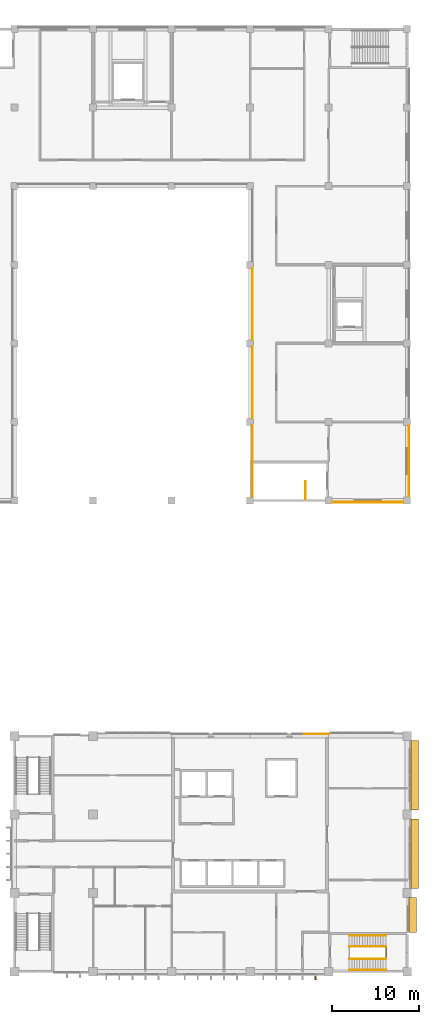
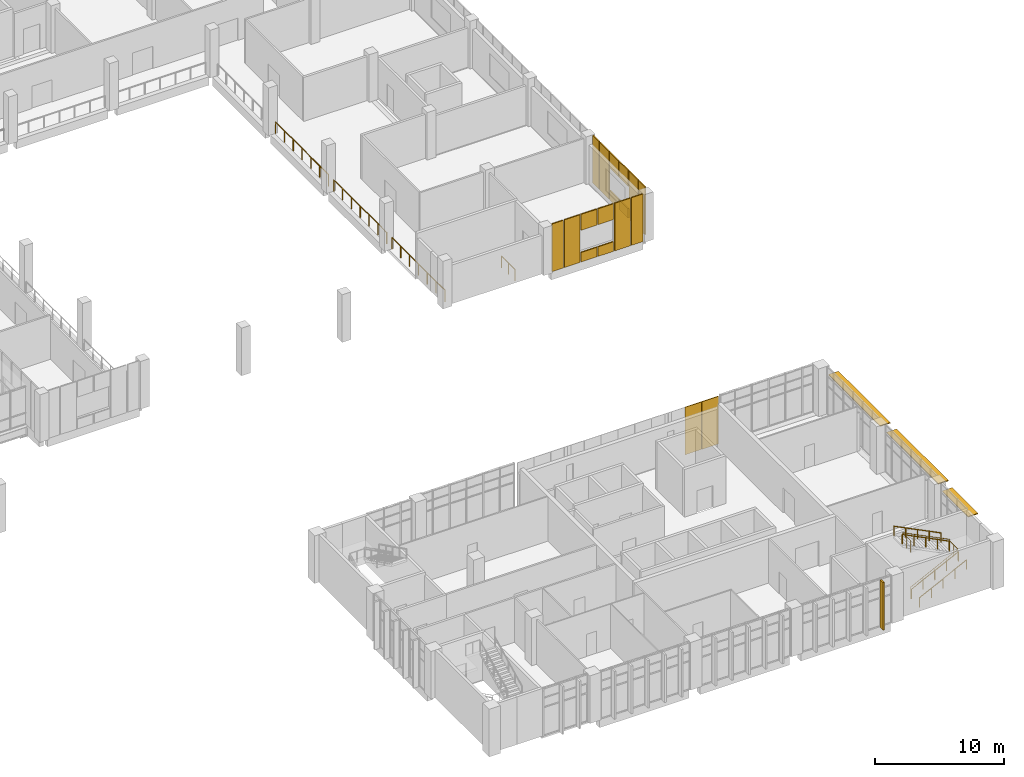
# One storey, part 85 of 88: 18 coverings, 9 railings, 4 shading devices.
"""IFC4 building model written with IfcOpenShell, lengths in metres."""

from ifc_helpers import new_model, si_unit, direction, frame, origin, origin_2d, place, context, subcontext, project, spatial, rectangle, circle, extrude, material, layer, layer_set, type_object, element, save


model = new_model("IFC4")

# Units and contexts
model_context = context("Model", 3, precision=1e-05, world=origin(), true_north=direction((0.0, 1.0)))
body_context = subcontext(model_context, "Body", "Model", "MODEL_VIEW")
ifc_project = project(units=[si_unit("LENGTHUNIT", "METRE"), si_unit("AREAUNIT", "SQUARE_METRE"), si_unit("VOLUMEUNIT", "CUBIC_METRE"), si_unit("PLANEANGLEUNIT", "RADIAN"), si_unit("MASSUNIT", "GRAM", prefix="KILO")], contexts=[model_context])

# Site, building, storey
site_placement = place(None, origin())
site = spatial("IfcSite", under=ifc_project, at=site_placement, CompositionType="ELEMENT")
building_placement = place(site_placement, origin())
building = spatial("IfcBuilding", under=site, at=building_placement, Name="Guidao Yard Department Store", CompositionType="ELEMENT")
storey_placement = place(building_placement, frame((0.0, 0.0, 6.0)))
storey = spatial("IfcBuildingStorey", under=building, at=storey_placement, Name="L01", CompositionType="ELEMENT", Elevation=6.0)

# Coverings
ifc_material_1 = material(Name="Clinker brick", Category="masonry")
ifc_layer_1 = layer(ifc_material_1, 0.10009765625)
ifc_layer_set_1 = layer_set([ifc_layer_1], Name="Clinker brick panel BR1 on rainscreen")
covering_type_1 = type_object("IfcCoveringType", Name="Clinker brick panel BR1 on rainscreen", PredefinedType="CLADDING", material=ifc_layer_set_1)
covering_1_placement = place(storey_placement, frame((162.949951171875, 53.800048828125, 0.0), z_axis=(0.0, 0.0, 1.0), x_axis=(-1.0, 0.0, 0.0)))
element("IfcCovering", 1, at=covering_1_placement, inside=storey, type_object=covering_type_1, Name="Clinker brick panel", PredefinedType="CLADDING", context=body_context, shape_type="SweptSolid", body=[
    extrude(rectangle(XDim=1.0, YDim=0.10009765625, at=origin_2d()), origin(), (0.0, 0.0, 1.0), 4.5),
])
covering_2_placement = place(storey_placement, frame((164.25, 53.800048828125, 0.0), z_axis=(0.0, 0.0, 1.0), x_axis=(-1.0, 0.0, 0.0)))
element("IfcCovering", 2, at=covering_2_placement, inside=storey, type_object=covering_type_1, Name="Clinker brick panel", PredefinedType="CLADDING", context=body_context, shape_type="SweptSolid", body=[
    extrude(rectangle(XDim=1.39990234375, YDim=0.10009765625, at=origin_2d()), origin(), (0.0, 0.0, 1.0), 4.5),
])
covering_3_placement = place(storey_placement, frame((165.75, 53.800048828125, 0.0), z_axis=(0.0, 0.0, 1.0), x_axis=(-1.0, 0.0, 0.0)))
element("IfcCovering", 3, at=covering_3_placement, inside=storey, type_object=covering_type_1, Name="Clinker brick panel", PredefinedType="CLADDING", context=body_context, shape_type="SweptSolid", body=[
    extrude(rectangle(XDim=1.39990234375, YDim=0.10009765625, at=origin_2d()), origin(), (0.0, 0.0, 1.0), 0.89990234375),
])
covering_4_placement = place(storey_placement, frame((165.75, 53.800048828125, 3.0), z_axis=(0.0, 0.0, 1.0), x_axis=(-1.0, 0.0, 0.0)))
element("IfcCovering", 4, at=covering_4_placement, inside=storey, type_object=covering_type_1, Name="Clinker brick panel", PredefinedType="CLADDING", context=body_context, shape_type="SweptSolid", body=[
    extrude(rectangle(XDim=1.39990234375, YDim=0.10009765625, at=origin_2d()), origin(), (0.0, 0.0, 1.0), 1.5),
])
covering_5_placement = place(storey_placement, frame((167.25, 53.800048828125, 0.0), z_axis=(0.0, 0.0, 1.0), x_axis=(-1.0, 0.0, 0.0)))
element("IfcCovering", 5, at=covering_5_placement, inside=storey, type_object=covering_type_1, Name="Clinker brick panel", PredefinedType="CLADDING", context=body_context, shape_type="SweptSolid", body=[
    extrude(rectangle(XDim=1.39990234375, YDim=0.10009765625, at=origin_2d()), origin(), (0.0, 0.0, 1.0), 0.89990234375),
])
covering_6_placement = place(storey_placement, frame((167.25, 53.800048828125, 3.0), z_axis=(0.0, 0.0, 1.0), x_axis=(-1.0, 0.0, 0.0)))
element("IfcCovering", 6, at=covering_6_placement, inside=storey, type_object=covering_type_1, Name="Clinker brick panel", PredefinedType="CLADDING", context=body_context, shape_type="SweptSolid", body=[
    extrude(rectangle(XDim=1.39990234375, YDim=0.10009765625, at=origin_2d()), origin(), (0.0, 0.0, 1.0), 1.5),
])
covering_7_placement = place(storey_placement, frame((168.75, 53.800048828125, 0.0), z_axis=(0.0, 0.0, 1.0), x_axis=(-1.0, 0.0, 0.0)))
element("IfcCovering", 7, at=covering_7_placement, inside=storey, type_object=covering_type_1, Name="Clinker brick panel", PredefinedType="CLADDING", context=body_context, shape_type="SweptSolid", body=[
    extrude(rectangle(XDim=1.39990234375, YDim=0.10009765625, at=origin_2d()), origin(), (0.0, 0.0, 1.0), 4.5),
])
for number, where, z_axis, x_axis, name in (
    (8, (170.050048828125, 53.800048828125, 0.0), (0.0, 0.0, 1.0), (-1.0, 0.0, 0.0), "Clinker brick panel"),
    (9, (171.199951171875, 54.949951171875, 0.0), (0.0, 0.0, 1.0), (0.0, -1.0, 0.0), "Clinker brick panel"),
):
    element("IfcCovering", number, at=place(storey_placement, frame(where, z_axis=z_axis, x_axis=x_axis)), inside=storey, type_object=covering_type_1, Name=name, PredefinedType="CLADDING", context=body_context, shape_type="SweptSolid", body=[
        extrude(rectangle(XDim=1.0, YDim=0.10009765625, at=origin_2d()), origin(), (0.0, 0.0, 1.0), 4.5),
    ])
covering_8_placement = place(storey_placement, frame((171.199951171875, 56.25, 0.0), z_axis=(0.0, 0.0, 1.0), x_axis=(0.0, -1.0, 0.0)))
element("IfcCovering", 10, at=covering_8_placement, inside=storey, type_object=covering_type_1, Name="Clinker brick panel", PredefinedType="CLADDING", context=body_context, shape_type="SweptSolid", body=[
    extrude(rectangle(XDim=1.39990234375, YDim=0.10009765625, at=origin_2d()), origin(), (0.0, 0.0, 1.0), 4.5),
])
covering_9_placement = place(storey_placement, frame((171.199951171875, 57.75, 0.0), z_axis=(0.0, 0.0, 1.0), x_axis=(0.0, -1.0, 0.0)))
element("IfcCovering", 11, at=covering_9_placement, inside=storey, type_object=covering_type_1, Name="Clinker brick panel", PredefinedType="CLADDING", context=body_context, shape_type="SweptSolid", body=[
    extrude(rectangle(XDim=1.39990234375, YDim=0.10009765625, at=origin_2d()), origin(), (0.0, 0.0, 1.0), 0.89990234375),
])
covering_10_placement = place(storey_placement, frame((171.199951171875, 57.75, 3.0), z_axis=(0.0, 0.0, 1.0), x_axis=(0.0, -1.0, 0.0)))
element("IfcCovering", 12, at=covering_10_placement, inside=storey, type_object=covering_type_1, Name="Clinker brick panel", PredefinedType="CLADDING", context=body_context, shape_type="SweptSolid", body=[
    extrude(rectangle(XDim=1.39990234375, YDim=0.10009765625, at=origin_2d()), origin(), (0.0, 0.0, 1.0), 1.5),
])
covering_11_placement = place(storey_placement, frame((171.199951171875, 59.25, 0.0), z_axis=(0.0, 0.0, 1.0), x_axis=(0.0, -1.0, 0.0)))
element("IfcCovering", 13, at=covering_11_placement, inside=storey, type_object=covering_type_1, Name="Clinker brick panel", PredefinedType="CLADDING", context=body_context, shape_type="SweptSolid", body=[
    extrude(rectangle(XDim=1.39990234375, YDim=0.10009765625, at=origin_2d()), origin(), (0.0, 0.0, 1.0), 0.89990234375),
])
covering_12_placement = place(storey_placement, frame((171.199951171875, 59.25, 3.0), z_axis=(0.0, 0.0, 1.0), x_axis=(0.0, -1.0, 0.0)))
element("IfcCovering", 14, at=covering_12_placement, inside=storey, type_object=covering_type_1, Name="Clinker brick panel", PredefinedType="CLADDING", context=body_context, shape_type="SweptSolid", body=[
    extrude(rectangle(XDim=1.39990234375, YDim=0.10009765625, at=origin_2d()), origin(), (0.0, 0.0, 1.0), 1.5),
])
covering_13_placement = place(storey_placement, frame((171.199951171875, 60.75, 0.0), z_axis=(0.0, 0.0, 1.0), x_axis=(0.0, -1.0, 0.0)))
element("IfcCovering", 15, at=covering_13_placement, inside=storey, type_object=covering_type_1, Name="Clinker brick panel", PredefinedType="CLADDING", context=body_context, shape_type="SweptSolid", body=[
    extrude(rectangle(XDim=1.39990234375, YDim=0.10009765625, at=origin_2d()), origin(), (0.0, 0.0, 1.0), 4.5),
])
covering_14_placement = place(storey_placement, frame((171.199951171875, 62.050048828125, 0.0), z_axis=(0.0, 0.0, 1.0), x_axis=(0.0, -1.0, 0.0)))
element("IfcCovering", 16, at=covering_14_placement, inside=storey, type_object=covering_type_1, Name="Clinker brick panel", PredefinedType="CLADDING", context=body_context, shape_type="SweptSolid", body=[
    extrude(rectangle(XDim=1.0, YDim=0.10009765625, at=origin_2d()), origin(), (0.0, 0.0, 1.0), 4.5),
])
ifc_material_2 = material(Name="Anodised aluminium 6063-T5 cladding", Category="aluminium")
ifc_layer_2 = layer(ifc_material_2, 0.050048828125)
ifc_layer_set_2 = layer_set([ifc_layer_2], Name="Facade cladding CP1 anodised aluminium panel 6063")
covering_type_2 = type_object("IfcCoveringType", Name="Facade cladding CP1 anodised aluminium panel 6063", PredefinedType="CLADDING", material=ifc_layer_set_2)
for number, where, z_axis, x_axis, name in (
    (17, (159.75, 27.22509765625, 0.0), (0.0, 0.0, 1.0), (1.0, 0.0, 0.0), "Core face cladding"),
    (18, (161.25, 27.22509765625, 0.0), (0.0, 0.0, 1.0), (1.0, 0.0, 0.0), "Core face cladding"),
):
    element("IfcCovering", number, at=place(storey_placement, frame(where, z_axis=z_axis, x_axis=x_axis)), inside=storey, type_object=covering_type_2, Name=name, PredefinedType="CLADDING", context=body_context, shape_type="SweptSolid", body=[
        extrude(rectangle(XDim=1.47998046875, YDim=0.050048828125, at=origin_2d()), origin(), (0.0, 0.0, 1.0), 4.5),
    ])

# Railings
ifc_material_3 = material(Name="Steel Q235", Category="steel")
railing_type_1 = type_object("IfcRailingType", Name="Guard steel balustrade 1100", PredefinedType="GUARDRAIL", material=ifc_material_3)
railing_1_placement = place(storey_placement, frame((159.35009765625, 56.175048828125, 0.0)))
element("IfcRailing", 19, at=railing_1_placement, inside=storey, type_object=railing_type_1, Name="Stair F1 guard L01 9", PredefinedType="GUARDRAIL", context=body_context, shape_type="SweptSolid", body=[
    extrude(circle(Radius=0.02392578125, at=origin_2d()), frame((0.0, 0.0, 1.076171875), z_axis=(0.0, -1.0, 0.0), x_axis=(1.0, 0.0, 0.0)), (0.0, 0.0, 1.0), 2.050048828125),
    extrude(circle(Radius=0.02099609375, at=origin_2d()), origin(), (0.0, 0.0, 1.0), 1.052001953125),
    extrude(circle(Radius=0.02099609375, at=origin_2d()), frame((0.0, -1.02490234375, 0.0)), (0.0, 0.0, 1.0), 1.052001953125),
    extrude(circle(Radius=0.02099609375, at=origin_2d()), frame((0.0, -2.050048828125, 0.0)), (0.0, 0.0, 1.0), 1.052001953125),
])
railing_2_placement = place(storey_placement, frame((164.35009765625, 1.52490234375, 0.14990234375)))
element("IfcRailing", 20, at=railing_2_placement, inside=storey, type_object=railing_type_1, Name="Stair O2 guard L01 17", PredefinedType="GUARDRAIL", context=body_context, shape_type="SweptSolid", body=[
    extrude(circle(Radius=0.02392578125, at=origin_2d()), frame((0.0, 0.0, 1.076171875), z_axis=(0.894416792377, 0.0, 0.447234392142), x_axis=(0.0, 1.0, 0.0)), (0.0, 0.0, 1.0), 4.69580078125),
    extrude(circle(Radius=0.02392578125, at=origin_2d()), frame((4.199951171875, 0.0, 3.17626953125), z_axis=(0.0, 1.0, 0.0), x_axis=(-1.0, 0.0, 0.0)), (0.0, 0.0, 1.0), 1.275146484375),
    extrude(circle(Radius=0.02392578125, at=origin_2d()), frame((4.199951171875, 1.275146484375, 3.17626953125), z_axis=(0.0, 0.0, 1.0), x_axis=(1.0, 0.0, 0.0)), (0.0, 0.0, 1.0), 0.14990234375),
    extrude(circle(Radius=0.02392578125, at=origin_2d()), frame((4.199951171875, 1.275146484375, 3.326171875), z_axis=(-0.894416792377, 0.0, 0.447234392142), x_axis=(0.0, -1.0, 0.0)), (0.0, 0.0, 1.0), 4.69580078125),
    extrude(circle(Radius=0.02392578125, at=origin_2d()), frame((0.0, 1.275146484375, 5.42626953125), z_axis=(0.0, -1.0, 0.0), x_axis=(1.0, 0.0, 0.0)), (0.0, 0.0, 1.0), 1.275146484375),
    extrude(circle(Radius=0.02099609375, at=origin_2d()), origin(), (0.0, 0.0, 1.0), 1.052001953125),
    extrude(circle(Radius=0.02099609375, at=origin_2d()), frame((1.050048828125, 0.0, 0.52490234375)), (0.0, 0.0, 1.0), 1.052001953125),
    extrude(circle(Radius=0.02099609375, at=origin_2d()), frame((2.10009765625, 0.0, 1.050048828125)), (0.0, 0.0, 1.0), 1.052001953125),
    extrude(circle(Radius=0.02099609375, at=origin_2d()), frame((3.14990234375, 0.0, 1.5751953125)), (0.0, 0.0, 1.0), 1.052001953125),
    extrude(circle(Radius=0.02099609375, at=origin_2d()), frame((4.199951171875, 0.0, 2.10009765625)), (0.0, 0.0, 1.0), 1.052001953125),
    extrude(circle(Radius=0.02099609375, at=origin_2d()), frame((4.199951171875, 0.6376953125, 2.10009765625)), (0.0, 0.0, 1.0), 1.052001953125),
    extrude(circle(Radius=0.02099609375, at=origin_2d()), frame((4.199951171875, 1.275146484375, 2.10009765625)), (0.0, 0.0, 1.0), 1.052001953125),
    extrude(circle(Radius=0.02099609375, at=origin_2d()), frame((4.199951171875, 1.275146484375, 2.25)), (0.0, 0.0, 1.0), 1.052001953125),
    extrude(circle(Radius=0.02099609375, at=origin_2d()), frame((3.14990234375, 1.275146484375, 2.77490234375)), (0.0, 0.0, 1.0), 1.052001953125),
    extrude(circle(Radius=0.02099609375, at=origin_2d()), frame((2.10009765625, 1.275146484375, 3.300048828125)), (0.0, 0.0, 1.0), 1.052001953125),
    extrude(circle(Radius=0.02099609375, at=origin_2d()), frame((1.050048828125, 1.275146484375, 3.8251953125)), (0.0, 0.0, 1.0), 1.052001953125),
    extrude(circle(Radius=0.02099609375, at=origin_2d()), frame((0.0, 1.275146484375, 4.35009765625)), (0.0, 0.0, 1.0), 1.052001953125),
    extrude(circle(Radius=0.02099609375, at=origin_2d()), frame((0.0, 0.6376953125, 4.35009765625)), (0.0, 0.0, 1.0), 1.052001953125),
    extrude(circle(Radius=0.02099609375, at=origin_2d()), frame((0.0, 0.0, 4.35009765625)), (0.0, 0.0, 1.0), 1.052001953125),
])
for number, where, name in (
    (21, (153.25, 80.60009765625, 0.0), "Guard hall E L01"),
    (22, (153.25, 71.60009765625, 0.0), "Guard hall E L01"),
    (23, (153.25, 62.60009765625, 0.0), "Guard hall E L01"),
):
    element("IfcRailing", number, at=place(storey_placement, frame(where)), inside=storey, type_object=railing_type_1, Name=name, PredefinedType="GUARDRAIL", context=body_context, shape_type="SweptSolid", body=[
        extrude(circle(Radius=0.02392578125, at=origin_2d()), frame((0.0, 0.0, 1.076171875), z_axis=(0.0, -1.0, 0.0), x_axis=(1.0, 0.0, 0.0)), (0.0, 0.0, 1.0), 8.2001953125),
        extrude(circle(Radius=0.02099609375, at=origin_2d()), origin(), (0.0, 0.0, 1.0), 1.052001953125),
        extrude(circle(Radius=0.02099609375, at=origin_2d()), frame((0.0, -1.36669921875, 0.0)), (0.0, 0.0, 1.0), 1.052001953125),
        extrude(circle(Radius=0.02099609375, at=origin_2d()), frame((0.0, -2.7333984375, 0.0)), (0.0, 0.0, 1.0), 1.052001953125),
        extrude(circle(Radius=0.02099609375, at=origin_2d()), frame((0.0, -4.10009765625, 0.0)), (0.0, 0.0, 1.0), 1.052001953125),
        extrude(circle(Radius=0.02099609375, at=origin_2d()), frame((0.0, -5.466796875, 0.0)), (0.0, 0.0, 1.0), 1.052001953125),
        extrude(circle(Radius=0.02099609375, at=origin_2d()), frame((0.0, -6.83349609375, 0.0)), (0.0, 0.0, 1.0), 1.052001953125),
        extrude(circle(Radius=0.02099609375, at=origin_2d()), frame((0.0, -8.2001953125, 0.0)), (0.0, 0.0, 1.0), 1.052001953125),
    ])
ifc_material_4 = material(Name="Steel Q235", Category="steel")
railing_type_2 = type_object("IfcRailingType", Name="Handrail steel tube 48", PredefinedType="HANDRAIL", material=ifc_material_4)
for number, where, name in (
    (24, (164.35009765625, 0.18505859375, 0.14990234375), "Stair O2 hand rail L01 57"),
    (25, (164.35009765625, 1.465087890625, 0.14990234375), "Stair O2 hand rail L01 58"),
):
    element("IfcRailing", number, at=place(storey_placement, frame(where)), inside=storey, type_object=railing_type_2, Name=name, PredefinedType="HANDRAIL", context=body_context, shape_type="SweptSolid", body=[
        extrude(circle(Radius=0.02392578125, at=origin_2d()), frame((0.0, 0.0, 0.8759765625), z_axis=(0.894416792377, 0.0, 0.447234392142), x_axis=(0.0, 1.0, 0.0)), (0.0, 0.0, 1.0), 4.69580078125),
        extrude(circle(Radius=0.02099609375, at=origin_2d()), origin(), (0.0, 0.0, 1.0), 0.851806640625),
        extrude(circle(Radius=0.02099609375, at=origin_2d()), frame((1.050048828125, 0.0, 0.52490234375)), (0.0, 0.0, 1.0), 0.851806640625),
        extrude(circle(Radius=0.02099609375, at=origin_2d()), frame((2.10009765625, 0.0, 1.050048828125)), (0.0, 0.0, 1.0), 0.851806640625),
        extrude(circle(Radius=0.02099609375, at=origin_2d()), frame((3.14990234375, 0.0, 1.5751953125)), (0.0, 0.0, 1.0), 0.851806640625),
        extrude(circle(Radius=0.02099609375, at=origin_2d()), frame((4.199951171875, 0.0, 2.10009765625)), (0.0, 0.0, 1.0), 0.851806640625),
    ])
for number, where, name in (
    (26, (168.550048828125, 2.860107421875, 2.39990234375), "Stair O2 hand rail L01 59"),
    (27, (168.550048828125, 4.139892578125, 2.39990234375), "Stair O2 hand rail L01 60"),
):
    element("IfcRailing", number, at=place(storey_placement, frame(where)), inside=storey, type_object=railing_type_2, Name=name, PredefinedType="HANDRAIL", context=body_context, shape_type="SweptSolid", body=[
        extrude(circle(Radius=0.02392578125, at=origin_2d()), frame((0.0, 0.0, 0.8759765625), z_axis=(-0.894416792377, 0.0, 0.447234392142), x_axis=(0.0, -1.0, 0.0)), (0.0, 0.0, 1.0), 4.69580078125),
        extrude(circle(Radius=0.02099609375, at=origin_2d()), origin(), (0.0, 0.0, 1.0), 0.851806640625),
        extrude(circle(Radius=0.02099609375, at=origin_2d()), frame((-1.050048828125, 0.0, 0.52490234375)), (0.0, 0.0, 1.0), 0.851806640625),
        extrude(circle(Radius=0.02099609375, at=origin_2d()), frame((-2.10009765625, 0.0, 1.050048828125)), (0.0, 0.0, 1.0), 0.851806640625),
        extrude(circle(Radius=0.02099609375, at=origin_2d()), frame((-3.14990234375, 0.0, 1.5751953125)), (0.0, 0.0, 1.0), 0.851806640625),
        extrude(circle(Radius=0.02099609375, at=origin_2d()), frame((-4.199951171875, 0.0, 2.10009765625)), (0.0, 0.0, 1.0), 0.851806640625),
    ])

# Shading devices
ifc_material_5 = material(Name="Aluminium 6063-T5", Category="aluminium")
ifc_layer_3 = layer(ifc_material_5, 0.080078125)
ifc_layer_set_3 = layer_set([ifc_layer_3], Name="Sunshade blade SB1 aluminium")
shading_device_type_1 = type_object("IfcShadingDeviceType", Name="Sunshade blade SB1 aluminium", PredefinedType="SHUTTER", material=ifc_layer_set_3)
shading_device_1_placement = place(storey_placement, frame((171.6298828125, 6.5, 3.599853515625), z_axis=(0.0, 0.0, 1.0), x_axis=(0.0, -1.0, 0.0)))
element("IfcShadingDevice", 28, at=shading_device_1_placement, inside=storey, type_object=shading_device_type_1, Name="Sunshade blade", PredefinedType="SHUTTER", context=body_context, shape_type="SweptSolid", body=[
    extrude(rectangle(XDim=4.0, YDim=0.89990234375, at=origin_2d()), origin(), (0.0, 0.0, 1.0), 0.080078125),
])
for number, where, z_axis, x_axis, name in (
    (29, (171.860107421875, 13.5, 3.599853515625), (0.0, 0.0, 1.0), (0.0, -1.0, 0.0), "Sunshade blade"),
    (30, (171.860107421875, 22.5, 3.599853515625), (0.0, 0.0, 1.0), (0.0, -1.0, 0.0), "Sunshade blade"),
):
    element("IfcShadingDevice", number, at=place(storey_placement, frame(where, z_axis=z_axis, x_axis=x_axis)), inside=storey, type_object=shading_device_type_1, Name=name, PredefinedType="SHUTTER", context=body_context, shape_type="SweptSolid", body=[
        extrude(rectangle(XDim=8.0, YDim=0.89990234375, at=origin_2d()), origin(), (0.0, 0.0, 1.0), 0.080078125),
    ])
ifc_material_6 = material(Name="Aluminium 6063-T5", Category="aluminium")
shading_device_type_2 = type_object("IfcShadingDeviceType", Name="Vertical fin FN2 aluminium 150 x 450", PredefinedType="SHUTTER", material=ifc_material_6)
shading_device_2_placement = place(storey_placement, frame((160.5, -0.735107421875, 0.0), z_axis=(0.0, 0.0, 1.0), x_axis=(-1.0, 0.0, 0.0)))
element("IfcShadingDevice", 31, at=shading_device_2_placement, inside=storey, type_object=shading_device_type_2, Name="Vertical fin", PredefinedType="SHUTTER", context=body_context, shape_type="SweptSolid", body=[
    extrude(rectangle(XDim=0.14990234375, YDim=0.449951171875, at=origin_2d()), origin(), (0.0, 0.0, 1.0), 4.5),
])

save(model, "model.ifc")
